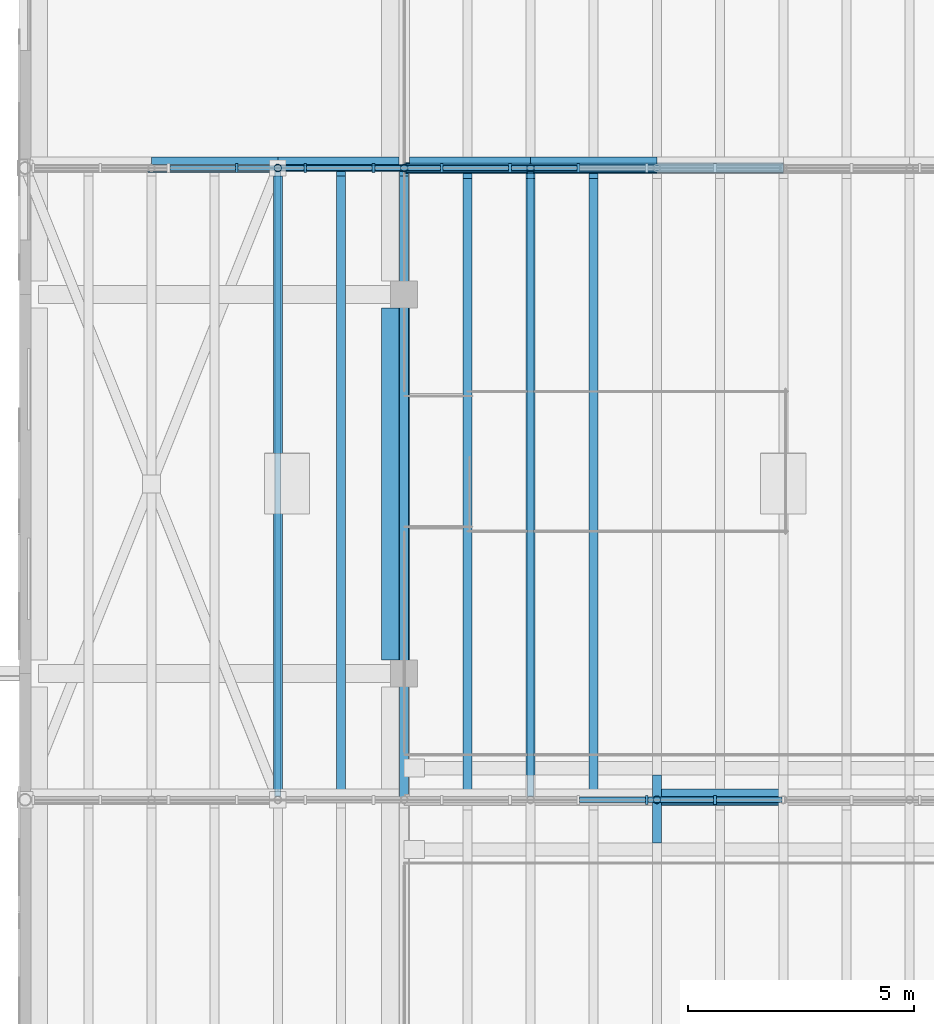
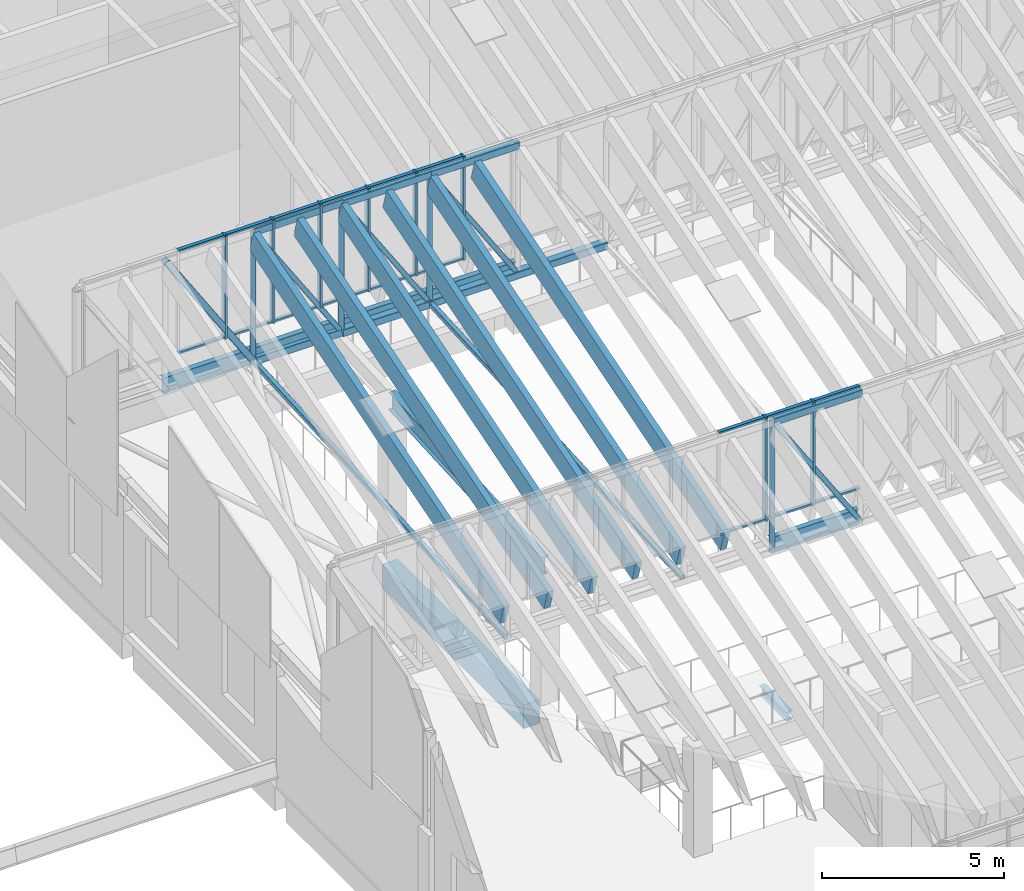
# One storey, part 10 of 91: 49 members, 8 beams, 2 elements without a shape of their own.
"""IFC4 building model written with IfcOpenShell, lengths in metres."""

from ifc_helpers import new_model, si_unit, direction, frame, origin, origin_2d, place, context, subcontext, project, spatial, rectangle, hollow_rectangle, hollow_circle, i_section, extrude, material, material_profile, profile_set, type_object, element, aggregate, save


model = new_model("IFC4")

# Units and contexts
model_context = context("Model", 3, precision=1e-05, world=origin(), true_north=direction((0.0, 1.0)))
body_context = subcontext(model_context, "Body", "Model", "MODEL_VIEW")
ifc_project = project(units=[si_unit("LENGTHUNIT", "METRE"), si_unit("AREAUNIT", "SQUARE_METRE"), si_unit("VOLUMEUNIT", "CUBIC_METRE"), si_unit("PLANEANGLEUNIT", "RADIAN"), si_unit("MASSUNIT", "GRAM", prefix="KILO")], contexts=[model_context])

# Site, building, storey
site_placement = place(None, origin())
site = spatial("IfcSite", under=ifc_project, at=site_placement, CompositionType="ELEMENT")
building_placement = place(site_placement, origin())
building = spatial("IfcBuilding", under=site, at=building_placement, Name="Almond Square Museum", CompositionType="ELEMENT")
storey_placement = place(building_placement, frame((0.0, 0.0, 30.0)))
storey = spatial("IfcBuildingStorey", under=building, at=storey_placement, Name="L05", CompositionType="ELEMENT", Elevation=30.0)

# Curtain wall, members
ifc_material_1 = material(Name="Aluminium and laminated glass", Category="aluminium")
curtain_wall_type = type_object("IfcCurtainWallType", Name="Unitised curtain wall 1500 module", PredefinedType="NOTDEFINED", material=ifc_material_1)
curtain_wall_1_placement = place(storey_placement, origin())
curtain_wall_1 = element("IfcCurtainWall", 1, at=curtain_wall_1_placement, inside=storey, type_object=curtain_wall_type, Name="Rooflight glazing AG1", PredefinedType="NOTDEFINED")
ifc_material_2 = material(Name="Anodised aluminium", Category="aluminium")
ifc_material_profile_1 = material_profile(ifc_material_2, rectangle(XDim=0.199951171875, YDim=0.06005859375, at=origin_2d()))
ifc_profile_set_1 = profile_set([ifc_material_profile_1], Name="Anodised aluminium")
member_type_1 = type_object("IfcMemberType", Name="Aluminium mullion 60 x 200", PredefinedType="MULLION", material=ifc_profile_set_1)
member_1_placement = place(storey_placement, frame((86.97265625, 81.199951171875, 5.800048828125), z_axis=(0.0, 0.0, 1.0), x_axis=(0.0, 1.0, 0.0)))
member_1 = element("IfcMember", 2, at=member_1_placement, type_object=member_type_1, Name="CW-56 mullion 10", PredefinedType="MULLION", context=body_context, shape_type="SweptSolid", body=[
    extrude(rectangle(XDim=0.199951171875, YDim=0.06005859375, at=origin_2d()), origin(), (0.0, 0.0, 1.0), 3.480224609375),
])
member_2_placement = place(storey_placement, frame((88.486328125, 81.199951171875, 5.800048828125), z_axis=(0.0, 0.0, 1.0), x_axis=(0.0, 1.0, 0.0)))
member_2 = element("IfcMember", 3, at=member_2_placement, type_object=member_type_1, Name="CW-56 mullion 11", PredefinedType="MULLION", context=body_context, shape_type="SweptSolid", body=[
    extrude(rectangle(XDim=0.199951171875, YDim=0.06005859375, at=origin_2d()), origin(), (0.0, 0.0, 1.0), 3.480224609375),
])

curtain_wall_2_placement = place(storey_placement, origin())
curtain_wall_2 = element("IfcCurtainWall", 4, at=curtain_wall_2_placement, inside=storey, type_object=curtain_wall_type, Name="Rooflight glazing AG2", PredefinedType="NOTDEFINED")
member_3_placement = place(storey_placement, frame((77.890869140625, 95.199951171875, 6.60009765625), z_axis=(0.0, 0.0, 1.0), x_axis=(0.0, 1.0, 0.0)))
member_3 = element("IfcMember", 5, at=member_3_placement, type_object=member_type_1, Name="CW-57 mullion 4", PredefinedType="MULLION", context=body_context, shape_type="SweptSolid", body=[
    extrude(rectangle(XDim=0.199951171875, YDim=0.06005859375, at=origin_2d()), origin(), (0.0, 0.0, 1.0), 3.480224609375),
])
member_4_placement = place(storey_placement, frame((79.404541015625, 95.199951171875, 6.60009765625), z_axis=(0.0, 0.0, 1.0), x_axis=(0.0, 1.0, 0.0)))
member_4 = element("IfcMember", 6, at=member_4_placement, type_object=member_type_1, Name="CW-57 mullion 5", PredefinedType="MULLION", context=body_context, shape_type="SweptSolid", body=[
    extrude(rectangle(XDim=0.199951171875, YDim=0.06005859375, at=origin_2d()), origin(), (0.0, 0.0, 1.0), 3.480224609375),
])
member_5_placement = place(storey_placement, frame((80.918212890625, 95.199951171875, 6.60009765625), z_axis=(0.0, 0.0, 1.0), x_axis=(0.0, 1.0, 0.0)))
member_5 = element("IfcMember", 7, at=member_5_placement, type_object=member_type_1, Name="CW-57 mullion 6", PredefinedType="MULLION", context=body_context, shape_type="SweptSolid", body=[
    extrude(rectangle(XDim=0.199951171875, YDim=0.06005859375, at=origin_2d()), origin(), (0.0, 0.0, 1.0), 3.480224609375),
])
member_6_placement = place(storey_placement, frame((82.431884765625, 95.199951171875, 6.60009765625), z_axis=(0.0, 0.0, 1.0), x_axis=(0.0, 1.0, 0.0)))
member_6 = element("IfcMember", 8, at=member_6_placement, type_object=member_type_1, Name="CW-57 mullion 7", PredefinedType="MULLION", context=body_context, shape_type="SweptSolid", body=[
    extrude(rectangle(XDim=0.199951171875, YDim=0.06005859375, at=origin_2d()), origin(), (0.0, 0.0, 1.0), 3.480224609375),
])
member_7_placement = place(storey_placement, frame((83.945556640625, 95.199951171875, 6.60009765625), z_axis=(0.0, 0.0, 1.0), x_axis=(0.0, 1.0, 0.0)))
member_7 = element("IfcMember", 9, at=member_7_placement, type_object=member_type_1, Name="CW-57 mullion 8", PredefinedType="MULLION", context=body_context, shape_type="SweptSolid", body=[
    extrude(rectangle(XDim=0.199951171875, YDim=0.06005859375, at=origin_2d()), origin(), (0.0, 0.0, 1.0), 3.480224609375),
])
member_8_placement = place(storey_placement, frame((85.458984375, 95.199951171875, 6.60009765625), z_axis=(0.0, 0.0, 1.0), x_axis=(0.0, 1.0, 0.0)))
member_8 = element("IfcMember", 10, at=member_8_placement, type_object=member_type_1, Name="CW-57 mullion 9", PredefinedType="MULLION", context=body_context, shape_type="SweptSolid", body=[
    extrude(rectangle(XDim=0.199951171875, YDim=0.06005859375, at=origin_2d()), origin(), (0.0, 0.0, 1.0), 3.480224609375),
])

# Member
ifc_material_3 = material(Name="Anodised aluminium", Category="aluminium")
ifc_material_profile_2 = material_profile(ifc_material_3, rectangle(XDim=0.1201171875, YDim=0.06005859375, at=origin_2d()))
ifc_profile_set_2 = profile_set([ifc_material_profile_2], Name="Anodised aluminium")
member_type_2 = type_object("IfcMemberType", Name="Aluminium transom 60 x 120", PredefinedType="USERDEFINED", material=ifc_profile_set_2)
member_9_placement = place(storey_placement, frame((85.489013671875, 81.199951171875, 5.830078125), z_axis=(1.0, 0.0, 0.0), x_axis=(0.0, 1.0, 0.0)))
member_9 = element("IfcMember", 11, at=member_9_placement, type_object=member_type_2, Name="CW-56 transom 9.1", ObjectType="TRANSOM", PredefinedType="USERDEFINED", context=body_context, shape_type="SweptSolid", body=[
    extrude(rectangle(XDim=0.1201171875, YDim=0.06005859375, at=origin_2d()), origin(), (0.0, 0.0, 1.0), 1.45361328125),
])

member_10_placement = place(storey_placement, frame((85.489013671875, 81.199951171875, 9.250244140625), z_axis=(1.0, 0.0, 0.0), x_axis=(0.0, 1.0, 0.0)))
member_10 = element("IfcMember", 12, at=member_10_placement, type_object=member_type_2, Name="CW-56 transom 9.2", ObjectType="TRANSOM", PredefinedType="USERDEFINED", context=body_context, shape_type="SweptSolid", body=[
    extrude(rectangle(XDim=0.1201171875, YDim=0.06005859375, at=origin_2d()), origin(), (0.0, 0.0, 1.0), 1.45361328125),
])

member_11_placement = place(storey_placement, frame((87.002685546875, 81.199951171875, 5.830078125), z_axis=(1.0, 0.0, 0.0), x_axis=(0.0, 1.0, 0.0)))
member_11 = element("IfcMember", 13, at=member_11_placement, type_object=member_type_2, Name="CW-56 transom 10.1", ObjectType="TRANSOM", PredefinedType="USERDEFINED", context=body_context, shape_type="SweptSolid", body=[
    extrude(rectangle(XDim=0.1201171875, YDim=0.06005859375, at=origin_2d()), origin(), (0.0, 0.0, 1.0), 1.45361328125),
])

member_12_placement = place(storey_placement, frame((87.002685546875, 81.199951171875, 9.250244140625), z_axis=(1.0, 0.0, 0.0), x_axis=(0.0, 1.0, 0.0)))
member_12 = element("IfcMember", 14, at=member_12_placement, type_object=member_type_2, Name="CW-56 transom 10.2", ObjectType="TRANSOM", PredefinedType="USERDEFINED", context=body_context, shape_type="SweptSolid", body=[
    extrude(rectangle(XDim=0.1201171875, YDim=0.06005859375, at=origin_2d()), origin(), (0.0, 0.0, 1.0), 1.45361328125),
])

member_13_placement = place(storey_placement, frame((88.516357421875, 81.199951171875, 5.830078125), z_axis=(1.0, 0.0, 0.0), x_axis=(0.0, 1.0, 0.0)))
member_13 = element("IfcMember", 15, at=member_13_placement, type_object=member_type_2, Name="CW-56 transom 11.1", ObjectType="TRANSOM", PredefinedType="USERDEFINED", context=body_context, shape_type="SweptSolid", body=[
    extrude(rectangle(XDim=0.1201171875, YDim=0.06005859375, at=origin_2d()), origin(), (0.0, 0.0, 1.0), 1.45361328125),
])

member_14_placement = place(storey_placement, frame((88.516357421875, 81.199951171875, 9.250244140625), z_axis=(1.0, 0.0, 0.0), x_axis=(0.0, 1.0, 0.0)))
member_14 = element("IfcMember", 16, at=member_14_placement, type_object=member_type_2, Name="CW-56 transom 11.2", ObjectType="TRANSOM", PredefinedType="USERDEFINED", context=body_context, shape_type="SweptSolid", body=[
    extrude(rectangle(XDim=0.1201171875, YDim=0.06005859375, at=origin_2d()), origin(), (0.0, 0.0, 1.0), 1.45361328125),
])

aggregate(curtain_wall_1, [member_1, member_2, member_9, member_10, member_11, member_12, member_13, member_14])

member_15_placement = place(storey_placement, frame((76.4072265625, 95.199951171875, 6.6298828125), z_axis=(1.0, 0.0, 0.0), x_axis=(0.0, 1.0, 0.0)))
member_15 = element("IfcMember", 17, at=member_15_placement, type_object=member_type_2, Name="CW-57 transom 3.1", ObjectType="TRANSOM", PredefinedType="USERDEFINED", context=body_context, shape_type="SweptSolid", body=[
    extrude(rectangle(XDim=0.1201171875, YDim=0.06005859375, at=origin_2d()), origin(), (0.0, 0.0, 1.0), 1.45361328125),
])

member_16_placement = place(storey_placement, frame((76.4072265625, 95.199951171875, 10.05029296875), z_axis=(1.0, 0.0, 0.0), x_axis=(0.0, 1.0, 0.0)))
member_16 = element("IfcMember", 18, at=member_16_placement, type_object=member_type_2, Name="CW-57 transom 3.2", ObjectType="TRANSOM", PredefinedType="USERDEFINED", context=body_context, shape_type="SweptSolid", body=[
    extrude(rectangle(XDim=0.1201171875, YDim=0.06005859375, at=origin_2d()), origin(), (0.0, 0.0, 1.0), 1.45361328125),
])

member_17_placement = place(storey_placement, frame((77.9208984375, 95.199951171875, 6.6298828125), z_axis=(1.0, 0.0, 0.0), x_axis=(0.0, 1.0, 0.0)))
member_17 = element("IfcMember", 19, at=member_17_placement, type_object=member_type_2, Name="CW-57 transom 4.1", ObjectType="TRANSOM", PredefinedType="USERDEFINED", context=body_context, shape_type="SweptSolid", body=[
    extrude(rectangle(XDim=0.1201171875, YDim=0.06005859375, at=origin_2d()), origin(), (0.0, 0.0, 1.0), 1.45361328125),
])

member_18_placement = place(storey_placement, frame((77.9208984375, 95.199951171875, 10.05029296875), z_axis=(1.0, 0.0, 0.0), x_axis=(0.0, 1.0, 0.0)))
member_18 = element("IfcMember", 20, at=member_18_placement, type_object=member_type_2, Name="CW-57 transom 4.2", ObjectType="TRANSOM", PredefinedType="USERDEFINED", context=body_context, shape_type="SweptSolid", body=[
    extrude(rectangle(XDim=0.1201171875, YDim=0.06005859375, at=origin_2d()), origin(), (0.0, 0.0, 1.0), 1.45361328125),
])

member_19_placement = place(storey_placement, frame((79.4345703125, 95.199951171875, 6.6298828125), z_axis=(1.0, 0.0, 0.0), x_axis=(0.0, 1.0, 0.0)))
member_19 = element("IfcMember", 21, at=member_19_placement, type_object=member_type_2, Name="CW-57 transom 5.1", ObjectType="TRANSOM", PredefinedType="USERDEFINED", context=body_context, shape_type="SweptSolid", body=[
    extrude(rectangle(XDim=0.1201171875, YDim=0.06005859375, at=origin_2d()), origin(), (0.0, 0.0, 1.0), 1.45361328125),
])

member_20_placement = place(storey_placement, frame((79.4345703125, 95.199951171875, 10.05029296875), z_axis=(1.0, 0.0, 0.0), x_axis=(0.0, 1.0, 0.0)))
member_20 = element("IfcMember", 22, at=member_20_placement, type_object=member_type_2, Name="CW-57 transom 5.2", ObjectType="TRANSOM", PredefinedType="USERDEFINED", context=body_context, shape_type="SweptSolid", body=[
    extrude(rectangle(XDim=0.1201171875, YDim=0.06005859375, at=origin_2d()), origin(), (0.0, 0.0, 1.0), 1.45361328125),
])

member_21_placement = place(storey_placement, frame((80.9482421875, 95.199951171875, 6.6298828125), z_axis=(1.0, 0.0, 0.0), x_axis=(0.0, 1.0, 0.0)))
member_21 = element("IfcMember", 23, at=member_21_placement, type_object=member_type_2, Name="CW-57 transom 6.1", ObjectType="TRANSOM", PredefinedType="USERDEFINED", context=body_context, shape_type="SweptSolid", body=[
    extrude(rectangle(XDim=0.1201171875, YDim=0.06005859375, at=origin_2d()), origin(), (0.0, 0.0, 1.0), 1.45361328125),
])

member_22_placement = place(storey_placement, frame((80.9482421875, 95.199951171875, 10.05029296875), z_axis=(1.0, 0.0, 0.0), x_axis=(0.0, 1.0, 0.0)))
member_22 = element("IfcMember", 24, at=member_22_placement, type_object=member_type_2, Name="CW-57 transom 6.2", ObjectType="TRANSOM", PredefinedType="USERDEFINED", context=body_context, shape_type="SweptSolid", body=[
    extrude(rectangle(XDim=0.1201171875, YDim=0.06005859375, at=origin_2d()), origin(), (0.0, 0.0, 1.0), 1.45361328125),
])

member_23_placement = place(storey_placement, frame((82.4619140625, 95.199951171875, 6.6298828125), z_axis=(1.0, 0.0, 0.0), x_axis=(0.0, 1.0, 0.0)))
member_23 = element("IfcMember", 25, at=member_23_placement, type_object=member_type_2, Name="CW-57 transom 7.1", ObjectType="TRANSOM", PredefinedType="USERDEFINED", context=body_context, shape_type="SweptSolid", body=[
    extrude(rectangle(XDim=0.1201171875, YDim=0.06005859375, at=origin_2d()), origin(), (0.0, 0.0, 1.0), 1.45361328125),
])

member_24_placement = place(storey_placement, frame((82.4619140625, 95.199951171875, 10.05029296875), z_axis=(1.0, 0.0, 0.0), x_axis=(0.0, 1.0, 0.0)))
member_24 = element("IfcMember", 26, at=member_24_placement, type_object=member_type_2, Name="CW-57 transom 7.2", ObjectType="TRANSOM", PredefinedType="USERDEFINED", context=body_context, shape_type="SweptSolid", body=[
    extrude(rectangle(XDim=0.1201171875, YDim=0.06005859375, at=origin_2d()), origin(), (0.0, 0.0, 1.0), 1.45361328125),
])

member_25_placement = place(storey_placement, frame((83.975341796875, 95.199951171875, 6.6298828125), z_axis=(1.0, 0.0, 0.0), x_axis=(0.0, 1.0, 0.0)))
member_25 = element("IfcMember", 27, at=member_25_placement, type_object=member_type_2, Name="CW-57 transom 8.1", ObjectType="TRANSOM", PredefinedType="USERDEFINED", context=body_context, shape_type="SweptSolid", body=[
    extrude(rectangle(XDim=0.1201171875, YDim=0.06005859375, at=origin_2d()), origin(), (0.0, 0.0, 1.0), 1.453857421875),
])

member_26_placement = place(storey_placement, frame((83.975341796875, 95.199951171875, 10.05029296875), z_axis=(1.0, 0.0, 0.0), x_axis=(0.0, 1.0, 0.0)))
member_26 = element("IfcMember", 28, at=member_26_placement, type_object=member_type_2, Name="CW-57 transom 8.2", ObjectType="TRANSOM", PredefinedType="USERDEFINED", context=body_context, shape_type="SweptSolid", body=[
    extrude(rectangle(XDim=0.1201171875, YDim=0.06005859375, at=origin_2d()), origin(), (0.0, 0.0, 1.0), 1.453857421875),
])

aggregate(curtain_wall_2, [member_3, member_4, member_5, member_6, member_7, member_8, member_15, member_16, member_17, member_18, member_19, member_20, member_21, member_22, member_23, member_24, member_25, member_26])

# Beams
ifc_material_4 = material(Name="Structural steel S355", Category="steel")
ifc_material_profile_3 = material_profile(ifc_material_4, i_section(OverallWidth=0.202880859375, OverallDepth=0.302001953125, WebThickness=0.007568359375, FlangeThickness=0.01318359375, at=origin_2d()))
ifc_profile_set_3 = profile_set([ifc_material_profile_3], Name="Structural steel S355")
beam_type_1 = type_object("IfcBeamType", Name="Floor beam W310x60", PredefinedType="BEAM", material=ifc_profile_set_3)
beam_1_placement = place(storey_placement, frame((87.199951171875, 80.24609375, -0.301025390625), z_axis=(0.0, 1.0, 0.0), x_axis=(-1.0, 0.0, 0.0)))
element("IfcBeam", 29, at=beam_1_placement, inside=storey, type_object=beam_type_1, Name="Bridge 7 cross beam 2", PredefinedType="BEAM", context=body_context, shape_type="SweptSolid", body=[
    extrude(i_section(OverallWidth=0.202880859375, OverallDepth=0.302001953125, WebThickness=0.007568359375, FlangeThickness=0.01318359375, at=origin_2d()), origin(), (0.0, 0.0, 1.0), 1.5078125),
])
ifc_material_5 = material(Name="Structural steel S355", Category="steel")
ifc_material_profile_4 = material_profile(ifc_material_5, i_section(OverallWidth=0.22802734375, OverallDepth=0.60693359375, WebThickness=0.01123046875, FlangeThickness=0.017333984375, at=origin_2d()))
ifc_profile_set_4 = profile_set([ifc_material_profile_4], Name="Structural steel S355")
beam_type_2 = type_object("IfcBeamType", Name="Girder W610x113", PredefinedType="BEAM", material=ifc_profile_set_4)
beam_2_placement = place(storey_placement, frame((81.60009765625, 84.0, 4.436767578125), z_axis=(0.0, 0.998371428865, 0.0570481378), x_axis=(-1.0, 0.0, 0.0)))
element("IfcBeam", 30, at=beam_2_placement, inside=storey, type_object=beam_type_2, Name="Atrium roof girder 2.2", PredefinedType="BEAM", context=body_context, shape_type="SweptSolid", body=[
    extrude(i_section(OverallWidth=0.22802734375, OverallDepth=0.60693359375, WebThickness=0.01123046875, FlangeThickness=0.017333984375, at=origin_2d()), origin(), (0.0, 0.0, 1.0), 8.41357421875),
])

# Members
ifc_material_6 = material(Name="Glulam GL28h", Category="wood")
ifc_material_profile_5 = material_profile(ifc_material_6, rectangle(XDim=0.199951171875, YDim=0.699951171875, at=origin_2d()))
ifc_profile_set_5 = profile_set([ifc_material_profile_5], Name="Glulam GL28h")
member_type_3 = type_object("IfcMemberType", Name="Glulam rafter GL28h 200x700", PredefinedType="RAFTER", material=ifc_profile_set_5)
for number, where, z_axis, x_axis, name in (
    (31, (78.800048828125, 81.35791015625, 5.377685546875), (0.0, 0.956305482031, 0.29236932985), (-1.0, 0.0, 0.0), "Atrium rafter 2.5"),
    (32, (80.199951171875, 81.35791015625, 5.377685546875), (0.0, 0.956305482031, 0.29236932985), (-1.0, 0.0, 0.0), "Atrium rafter 2.6"),
    (33, (81.60009765625, 81.35791015625, 5.377685546875), (0.0, 0.956305482031, 0.29236932985), (-1.0, 0.0, 0.0), "Atrium rafter 2.7"),
):
    element("IfcMember", number, at=place(storey_placement, frame(where, z_axis=z_axis, x_axis=x_axis)), inside=storey, type_object=member_type_3, Name=name, PredefinedType="RAFTER", context=body_context, shape_type="SweptSolid", body=[
        extrude(rectangle(XDim=0.199951171875, YDim=0.699951171875, at=origin_2d()), origin(), (0.0, 0.0, 1.0), 14.396240234375),
    ])
for number, where, z_axis, x_axis, name in (
    (34, (83.0, 81.35791015625, 5.377685546875), (0.0, 0.956302273391, 0.292379824727), (-1.0, 0.0, 0.0), "Atrium rafter 2.8"),
    (35, (84.39990234375, 81.35791015625, 5.377685546875), (0.0, 0.956302273391, 0.292379824727), (-1.0, 0.0, 0.0), "Atrium rafter 2.9"),
    (36, (85.800048828125, 81.35791015625, 5.377685546875), (0.0, 0.956302273391, 0.292379824727), (-1.0, 0.0, 0.0), "Atrium rafter 2.10"),
):
    element("IfcMember", number, at=place(storey_placement, frame(where, z_axis=z_axis, x_axis=x_axis)), inside=storey, type_object=member_type_3, Name=name, PredefinedType="RAFTER", context=body_context, shape_type="SweptSolid", body=[
        extrude(rectangle(XDim=0.199951171875, YDim=0.699951171875, at=origin_2d()), origin(), (0.0, 0.0, 1.0), 14.34375),
    ])

# Beam
ifc_material_7 = material(Name="Concrete C40/50", Category="concrete")
ifc_material_profile_6 = material_profile(ifc_material_7, rectangle(XDim=0.5, YDim=0.800048828125, at=origin_2d()))
ifc_profile_set_6 = profile_set([ifc_material_profile_6], Name="Concrete C40/50")
beam_type_3 = type_object("IfcBeamType", Name="RC edge beam 500 x 800 C40/50", PredefinedType="BEAM", material=ifc_profile_set_6)
beam_3_placement = place(storey_placement, frame((81.35009765625, 84.300048828125, -0.64990234375), z_axis=(0.0, 1.0, 0.0), x_axis=(-1.0, 0.0, 0.0)))
element("IfcBeam", 37, at=beam_3_placement, inside=storey, type_object=beam_type_3, Name="Edge beam 11 K-L L05", PredefinedType="BEAM", context=body_context, shape_type="SweptSolid", body=[
    extrude(rectangle(XDim=0.5, YDim=0.800048828125, at=origin_2d()), origin(), (0.0, 0.0, 1.0), 7.800048828125),
])

# Members
ifc_material_8 = material(Name="Structural steel S355", Category="steel")
ifc_material_profile_7 = material_profile(ifc_material_8, hollow_rectangle(XDim=0.14990234375, YDim=0.25, WallThickness=0.010009765625, InnerFilletRadius=0.014892578125, OuterFilletRadius=0.02490234375, at=origin_2d()))
ifc_profile_set_7 = profile_set([ifc_material_profile_7], Name="Structural steel S355")
member_type_4 = type_object("IfcMemberType", Name="Truss chord RHS 250x150x10", PredefinedType="CHORD", material=ifc_profile_set_7)
for number, where, z_axis, x_axis, name in (
    (38, (78.800048828125, 95.199951171875, 9.8505859375), (1.0, 0.0, 0.0), (0.0, 1.0, 0.0), "TR-11 top chord 3"),
    (39, (78.800048828125, 95.199951171875, 5.505126953125), (1.0, 0.0, 0.0), (0.0, 1.0, 0.0), "TR-11 bottom chord 3"),
):
    element("IfcMember", number, at=place(storey_placement, frame(where, z_axis=z_axis, x_axis=x_axis)), inside=storey, type_object=member_type_4, Name=name, PredefinedType="CHORD", context=body_context, shape_type="SweptSolid", body=[
        extrude(hollow_rectangle(XDim=0.14990234375, YDim=0.25, WallThickness=0.010009765625, InnerFilletRadius=0.014892578125, OuterFilletRadius=0.02490234375, at=origin_2d()), origin(), (0.0, 0.0, 1.0), 2.800048828125),
    ])
ifc_material_9 = material(Name="Structural steel S355", Category="steel")
ifc_material_profile_8 = material_profile(ifc_material_9, hollow_rectangle(XDim=0.25, YDim=0.25, WallThickness=0.012451171875, InnerFilletRadius=0.02490234375, OuterFilletRadius=0.03759765625, at=origin_2d()))
ifc_profile_set_8 = profile_set([ifc_material_profile_8], Name="Structural steel S355")
member_type_5 = type_object("IfcMemberType", Name="Truss chord SHS 250x250x12.5", PredefinedType="CHORD", material=ifc_profile_set_8)
member_27_placement = place(storey_placement, frame((87.199951171875, 81.199951171875, 9.05078125), z_axis=(1.0, 0.0, 0.0), x_axis=(0.0, 1.0, 0.0)))
element("IfcMember", 40, at=member_27_placement, inside=storey, type_object=member_type_5, Name="TR-10 top chord 6", PredefinedType="CHORD", context=body_context, shape_type="SweptSolid", body=[
    extrude(hollow_rectangle(XDim=0.25, YDim=0.25, WallThickness=0.012451171875, InnerFilletRadius=0.02490234375, OuterFilletRadius=0.03759765625, at=origin_2d()), origin(), (0.0, 0.0, 1.0), 2.800048828125),
])
member_28_placement = place(storey_placement, frame((81.60009765625, 95.199951171875, 9.8505859375), z_axis=(1.0, 0.0, 0.0), x_axis=(0.0, 1.0, 0.0)))
element("IfcMember", 41, at=member_28_placement, inside=storey, type_object=member_type_5, Name="TR-11 top chord 4", PredefinedType="CHORD", context=body_context, shape_type="SweptSolid", body=[
    extrude(hollow_rectangle(XDim=0.25, YDim=0.25, WallThickness=0.012451171875, InnerFilletRadius=0.02490234375, OuterFilletRadius=0.03759765625, at=origin_2d()), origin(), (0.0, 0.0, 1.0), 2.7998046875),
])
member_29_placement = place(storey_placement, frame((81.60009765625, 95.199951171875, 5.505126953125), z_axis=(1.0, 0.0, 0.0), x_axis=(0.0, 1.0, 0.0)))
element("IfcMember", 42, at=member_29_placement, inside=storey, type_object=member_type_5, Name="TR-11 bottom chord 4 to 6", PredefinedType="CHORD", context=body_context, shape_type="SweptSolid", body=[
    extrude(hollow_rectangle(XDim=0.25, YDim=0.25, WallThickness=0.012451171875, InnerFilletRadius=0.02490234375, OuterFilletRadius=0.03759765625, at=origin_2d()), origin(), (0.0, 0.0, 1.0), 8.39990234375),
])
member_30_placement = place(storey_placement, frame((84.39990234375, 95.199951171875, 9.8505859375), z_axis=(1.0, 0.0, 0.0), x_axis=(0.0, 1.0, 0.0)))
element("IfcMember", 43, at=member_30_placement, inside=storey, type_object=member_type_5, Name="TR-11 top chord 5", PredefinedType="CHORD", context=body_context, shape_type="SweptSolid", body=[
    extrude(hollow_rectangle(XDim=0.25, YDim=0.25, WallThickness=0.012451171875, InnerFilletRadius=0.02490234375, OuterFilletRadius=0.03759765625, at=origin_2d()), origin(), (0.0, 0.0, 1.0), 2.800048828125),
])
ifc_material_10 = material(Name="Structural steel S355", Category="steel")
ifc_material_profile_9 = material_profile(ifc_material_10, hollow_rectangle(XDim=0.14990234375, YDim=0.14990234375, WallThickness=0.008056640625, InnerFilletRadius=0.011962890625, OuterFilletRadius=0.02001953125, at=origin_2d()))
ifc_profile_set_9 = profile_set([ifc_material_profile_9], Name="Structural steel S355")
member_type_6 = type_object("IfcMemberType", Name="Truss diagonal SHS 150x150x8", PredefinedType="BRACE", material=ifc_profile_set_9)
member_31_placement = place(storey_placement, frame((87.199951171875, 81.199951171875, 9.05078125), z_axis=(0.541630888831, 0.0, -0.840616428738), x_axis=(0.0, 1.0, 0.0)))
element("IfcMember", 44, at=member_31_placement, inside=storey, type_object=member_type_6, Name="TR-10 diagonal 6", PredefinedType="BRACE", context=body_context, shape_type="SweptSolid", body=[
    extrude(hollow_rectangle(XDim=0.14990234375, YDim=0.14990234375, WallThickness=0.008056640625, InnerFilletRadius=0.011962890625, OuterFilletRadius=0.02001953125, at=origin_2d()), origin(), (0.0, 0.0, 1.0), 5.169677734375),
])
for number, where, z_axis, x_axis, name in (
    (45, (78.800048828125, 95.199951171875, 9.8505859375), (0.541652391523, 0.0, -0.840602573609), (0.0, 1.0, 0.0), "TR-11 diagonal 3"),
    (46, (81.60009765625, 95.199951171875, 9.8505859375), (0.54161901868, 0.0, -0.840624076865), (0.0, 1.0, 0.0), "TR-11 diagonal 4"),
    (47, (84.39990234375, 95.199951171875, 9.8505859375), (0.541652391523, 0.0, -0.840602573609), (0.0, 1.0, 0.0), "TR-11 diagonal 5"),
):
    element("IfcMember", number, at=place(storey_placement, frame(where, z_axis=z_axis, x_axis=x_axis)), inside=storey, type_object=member_type_6, Name=name, PredefinedType="BRACE", context=body_context, shape_type="SweptSolid", body=[
        extrude(hollow_rectangle(XDim=0.14990234375, YDim=0.14990234375, WallThickness=0.008056640625, InnerFilletRadius=0.011962890625, OuterFilletRadius=0.02001953125, at=origin_2d()), origin(), (0.0, 0.0, 1.0), 5.16943359375),
    ])
ifc_material_11 = material(Name="Structural steel S355", Category="steel")
ifc_material_profile_10 = material_profile(ifc_material_11, hollow_rectangle(XDim=0.199951171875, YDim=0.199951171875, WallThickness=0.010009765625, InnerFilletRadius=0.014892578125, OuterFilletRadius=0.02490234375, at=origin_2d()))
ifc_profile_set_10 = profile_set([ifc_material_profile_10], Name="Structural steel S355")
member_type_7 = type_object("IfcMemberType", Name="Truss diagonal SHS 200x200x10", PredefinedType="BRACE", material=ifc_profile_set_10)
member_32_placement = place(storey_placement, frame((76.0, 95.199951171875, 9.8505859375), z_axis=(0.541652391523, 0.0, -0.840602573609), x_axis=(0.0, 1.0, 0.0)))
element("IfcMember", 48, at=member_32_placement, inside=storey, type_object=member_type_7, Name="TR-11 diagonal 2", PredefinedType="BRACE", context=body_context, shape_type="SweptSolid", body=[
    extrude(hollow_rectangle(XDim=0.199951171875, YDim=0.199951171875, WallThickness=0.010009765625, InnerFilletRadius=0.014892578125, OuterFilletRadius=0.02490234375, at=origin_2d()), origin(), (0.0, 0.0, 1.0), 5.16943359375),
])
ifc_material_12 = material(Name="Structural steel S355", Category="steel")
ifc_material_profile_11 = material_profile(ifc_material_12, hollow_circle(Radius=0.084228515625, WallThickness=0.008056640625, at=origin_2d()))
ifc_profile_set_11 = profile_set([ifc_material_profile_11], Name="Structural steel S355")
member_type_8 = type_object("IfcMemberType", Name="Truss post CHS 168.3x8", PredefinedType="POST", material=ifc_profile_set_11)
member_33_placement = place(storey_placement, frame((87.199951171875, 81.199951171875, 4.705078125), z_axis=(0.0, 0.0, 1.0), x_axis=(1.0, 0.0, 0.0)))
element("IfcMember", 49, at=member_33_placement, inside=storey, type_object=member_type_8, Name="TR-10 post 6", PredefinedType="POST", context=body_context, shape_type="SweptSolid", body=[
    extrude(hollow_circle(Radius=0.084228515625, WallThickness=0.008056640625, at=origin_2d()), origin(), (0.0, 0.0, 1.0), 4.345703125),
])
for number, where, z_axis, x_axis, name in (
    (50, (78.800048828125, 95.199951171875, 5.505126953125), (0.0, 0.0, 1.0), (1.0, 0.0, 0.0), "TR-11 post 3"),
    (51, (81.60009765625, 95.199951171875, 5.505126953125), (0.0, 0.0, 1.0), (1.0, 0.0, 0.0), "TR-11 post 4"),
    (52, (84.39990234375, 95.199951171875, 5.505126953125), (0.0, 0.0, 1.0), (1.0, 0.0, 0.0), "TR-11 post 5"),
):
    element("IfcMember", number, at=place(storey_placement, frame(where, z_axis=z_axis, x_axis=x_axis)), inside=storey, type_object=member_type_8, Name=name, PredefinedType="POST", context=body_context, shape_type="SweptSolid", body=[
        extrude(hollow_circle(Radius=0.084228515625, WallThickness=0.008056640625, at=origin_2d()), origin(), (0.0, 0.0, 1.0), 4.345458984375),
    ])
ifc_material_13 = material(Name="Structural steel S355", Category="steel")
ifc_material_profile_12 = material_profile(ifc_material_13, hollow_rectangle(XDim=0.14990234375, YDim=0.14990234375, WallThickness=0.008056640625, InnerFilletRadius=0.011962890625, OuterFilletRadius=0.02001953125, at=origin_2d()))
ifc_profile_set_12 = profile_set([ifc_material_profile_12], Name="Structural steel S355")
member_type_9 = type_object("IfcMemberType", Name="Truss tie SHS 150x150x8", PredefinedType="MEMBER", material=ifc_profile_set_12)
for number, where, z_axis, x_axis, name in (
    (53, (78.800048828125, 81.27490234375, 4.705078125), (0.0, 0.998335774698, 0.057668717322), (-1.0, 0.0, 0.0), "Atrium bay 1 tie 2"),
    (54, (84.39990234375, 81.27490234375, 4.705078125), (0.0, 0.998335774698, 0.057668717322), (-1.0, 0.0, 0.0), "Atrium bay 1 tie 3"),
):
    element("IfcMember", number, at=place(storey_placement, frame(where, z_axis=z_axis, x_axis=x_axis)), inside=storey, type_object=member_type_9, Name=name, PredefinedType="MEMBER", context=body_context, shape_type="SweptSolid", body=[
        extrude(hollow_rectangle(XDim=0.14990234375, YDim=0.14990234375, WallThickness=0.008056640625, InnerFilletRadius=0.011962890625, OuterFilletRadius=0.02001953125, at=origin_2d()), origin(), (0.0, 0.0, 1.0), 13.873291015625),
    ])

# Beams
ifc_material_14 = material(Name="Structural steel S355", Category="steel")
ifc_material_profile_13 = material_profile(ifc_material_14, i_section(OverallWidth=0.166015625, OverallDepth=0.528076171875, WebThickness=0.009765625, FlangeThickness=0.013671875, at=origin_2d()))
ifc_profile_set_13 = profile_set([ifc_material_profile_13], Name="Structural steel S355")
beam_type_4 = type_object("IfcBeamType", Name="Valley beam W530x74", PredefinedType="BEAM", material=ifc_profile_set_13)
for number, where, z_axis, x_axis, name in (
    (55, (87.199951171875, 81.35791015625, 4.787841796875), (1.0, 0.0, 0.0), (0.0, 1.0, 0.0), "Atrium valley beam 1.6"),
    (56, (76.0, 95.35791015625, 5.587890625), (1.0, 0.0, 0.0), (0.0, 1.0, 0.0), "Atrium valley beam 2.2"),
):
    element("IfcBeam", number, at=place(storey_placement, frame(where, z_axis=z_axis, x_axis=x_axis)), inside=storey, type_object=beam_type_4, Name=name, PredefinedType="BEAM", context=body_context, shape_type="SweptSolid", body=[
        extrude(i_section(OverallWidth=0.166015625, OverallDepth=0.528076171875, WebThickness=0.009765625, FlangeThickness=0.013671875, at=origin_2d()), origin(), (0.0, 0.0, 1.0), 2.800048828125),
    ])
beam_4_placement = place(storey_placement, frame((78.800048828125, 95.35791015625, 5.587890625), z_axis=(1.0, 0.0, 0.0), x_axis=(0.0, 1.0, 0.0)))
element("IfcBeam", 57, at=beam_4_placement, inside=storey, type_object=beam_type_4, Name="Atrium valley beam 2.3", PredefinedType="BEAM", context=body_context, shape_type="SweptSolid", body=[
    extrude(i_section(OverallWidth=0.166015625, OverallDepth=0.528076171875, WebThickness=0.009765625, FlangeThickness=0.013671875, at=origin_2d()), origin(), (0.0, 0.0, 1.0), 2.68603515625),
])
beam_5_placement = place(storey_placement, frame((81.714111328125, 95.35791015625, 5.587890625), z_axis=(1.0, 0.0, 0.0), x_axis=(0.0, 1.0, 0.0)))
element("IfcBeam", 58, at=beam_5_placement, inside=storey, type_object=beam_type_4, Name="Atrium valley beam 2.4", PredefinedType="BEAM", context=body_context, shape_type="SweptSolid", body=[
    extrude(i_section(OverallWidth=0.166015625, OverallDepth=0.528076171875, WebThickness=0.009765625, FlangeThickness=0.013671875, at=origin_2d()), origin(), (0.0, 0.0, 1.0), 2.685791015625),
])
beam_6_placement = place(storey_placement, frame((84.39990234375, 95.35791015625, 5.587890625), z_axis=(1.0, 0.0, 0.0), x_axis=(0.0, 1.0, 0.0)))
element("IfcBeam", 59, at=beam_6_placement, inside=storey, type_object=beam_type_4, Name="Atrium valley beam 2.5", PredefinedType="BEAM", context=body_context, shape_type="SweptSolid", body=[
    extrude(i_section(OverallWidth=0.166015625, OverallDepth=0.528076171875, WebThickness=0.009765625, FlangeThickness=0.013671875, at=origin_2d()), origin(), (0.0, 0.0, 1.0), 2.800048828125),
])

save(model, "model.ifc")
